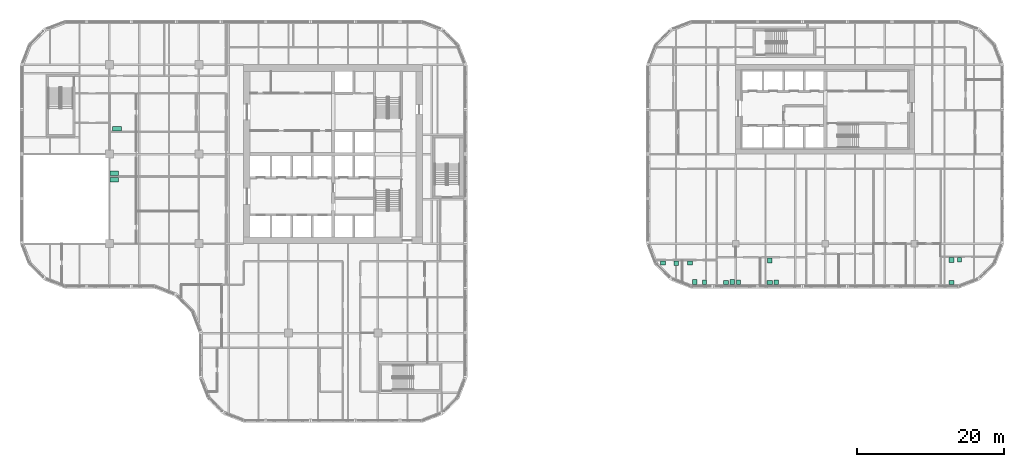
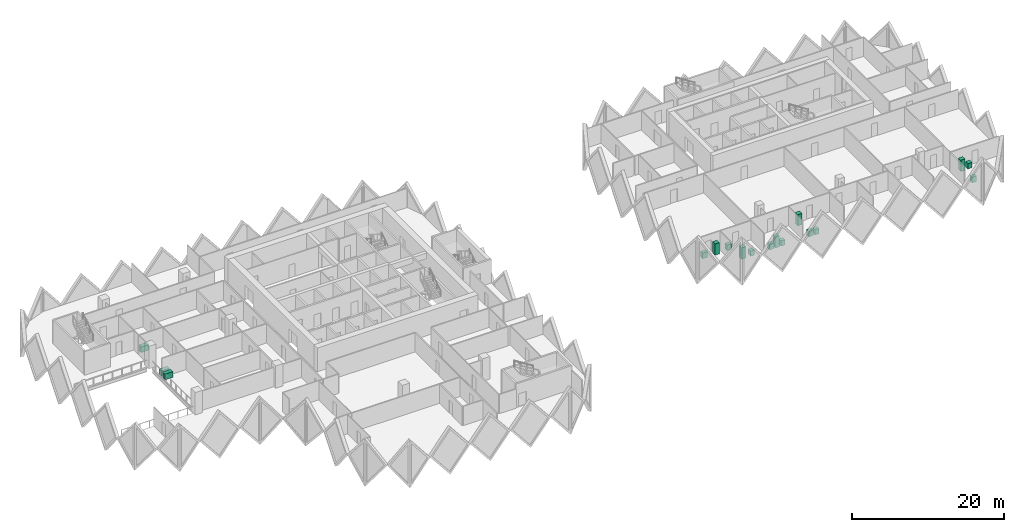
# One storey, part 20 of 20: 9 electric appliances, 8 sanitary terminals.
"""IFC4 building model written with IfcOpenShell, lengths in metres."""

from ifc_helpers import new_model, si_unit, direction, frame, origin, origin_2d, place, context, subcontext, project, spatial, rectangle, extrude, material, type_object, element, save


model = new_model("IFC4")

# Units and contexts
model_context = context("Model", 3, precision=1e-05, world=origin(), true_north=direction((0.0, 1.0)))
body_context = subcontext(model_context, "Body", "Model", "MODEL_VIEW")
ifc_project = project(units=[si_unit("LENGTHUNIT", "METRE"), si_unit("AREAUNIT", "SQUARE_METRE"), si_unit("VOLUMEUNIT", "CUBIC_METRE"), si_unit("PLANEANGLEUNIT", "RADIAN"), si_unit("MASSUNIT", "GRAM", prefix="KILO")], contexts=[model_context])

# Site, building, storey
site_placement = place(None, origin())
site = spatial("IfcSite", under=ifc_project, at=site_placement, CompositionType="ELEMENT")
building_placement = place(site_placement, origin())
building = spatial("IfcBuilding", under=site, at=building_placement, Name="Tessera Gate Towers", CompositionType="ELEMENT")
storey_placement = place(building_placement, frame((0.0, 0.0, 48.60009765625)))
storey = spatial("IfcBuildingStorey", under=building, at=storey_placement, Name="L11", CompositionType="ELEMENT", Elevation=48.60009765625)

# Electric appliances
ifc_material_1 = material(Name="Enamelled steel", Category="steel")
electric_appliance_type_1 = type_object("IfcElectricApplianceType", Name="DISHWASHER 600x600", PredefinedType="DISHWASHER", material=ifc_material_1)
for number, where, z_axis, x_axis, name in (
    (1, (93.35693359375, 19.14990234375, -0.000244140625), (0.0, 0.0, 1.0), (1.0, 0.0, 0.0), "Dishwasher"),
    (2, (97.9970703125, 19.14990234375, -0.000244140625), (0.0, 0.0, 1.0), (1.0, 0.0, 0.0), "Dishwasher"),
    (3, (103.162109375, 19.14990234375, -0.000244140625), (0.0, 0.0, 1.0), (1.0, 0.0, 0.0), "Dishwasher"),
    (4, (128.133056640625, 22.199951171875, -0.000244140625), (0.0, 0.0, 1.0), (1.0, 0.0, 0.0), "Dishwasher"),
):
    element("IfcElectricAppliance", number, at=place(storey_placement, frame(where, z_axis=z_axis, x_axis=x_axis)), inside=storey, type_object=electric_appliance_type_1, Name=name, PredefinedType="DISHWASHER", context=body_context, shape_type="SweptSolid", body=[
        extrude(rectangle(XDim=0.60009765625, YDim=0.60009765625, at=origin_2d()), origin(), (0.0, 0.0, 1.0), 0.85009765625),
    ])

# Sanitary terminals
ifc_material_2 = material(Name="Vitreous china")
sanitary_terminal_type_1 = type_object("IfcSanitaryTerminalType", Name="LABORATORY SINK 1200x600", PredefinedType="SINK", material=ifc_material_2)
for number, where, z_axis, x_axis, name in (
    (5, (12.85009765625, 33.125, 0.0), (0.0, 0.0, 1.0), (1.0, 0.0, 0.0), "Laboratory sink"),
    (6, (12.85009765625, 33.97509765625, 0.0), (0.0, 0.0, 1.0), (1.0, 0.0, 0.0), "Laboratory sink"),
    (7, (13.241943359375, 40.074951171875, 0.0), (0.0, 0.0, 1.0), (1.0, 0.0, 0.0), "Laboratory sink"),
):
    element("IfcSanitaryTerminal", number, at=place(storey_placement, frame(where, z_axis=z_axis, x_axis=x_axis)), inside=storey, type_object=sanitary_terminal_type_1, Name=name, PredefinedType="SINK", context=body_context, shape_type="SweptSolid", body=[
        extrude(rectangle(XDim=1.199951171875, YDim=0.60009765625, at=origin_2d()), origin(), (0.0, 0.0, 1.0), 0.89990234375),
    ])

# Electric appliances
ifc_material_3 = material(Name="Enamelled steel", Category="steel")
electric_appliance_type_2 = type_object("IfcElectricApplianceType", Name="REFRIGERATOR 650x650", PredefinedType="FRIDGE_FREEZER", material=ifc_material_3)
for number, where, z_axis, x_axis, name in (
    (8, (89.487060546875, 21.72509765625, 0.0), (0.0, 0.0, 1.0), (1.0, 0.0, 0.0), "Refrigerator"),
    (9, (92.02197265625, 19.175048828125, 0.0), (0.0, 0.0, 1.0), (1.0, 0.0, 0.0), "Refrigerator"),
    (10, (97.139892578125, 19.175048828125, 0.0), (0.0, 0.0, 1.0), (1.0, 0.0, 0.0), "Refrigerator"),
    (11, (102.2451171875, 22.10009765625, 0.0), (0.0, 0.0, 1.0), (1.0, 0.0, 0.0), "Refrigerator"),
    (12, (127.032958984375, 22.175048828125, 0.0), (0.0, 0.0, 1.0), (1.0, 0.0, 0.0), "Refrigerator"),
):
    element("IfcElectricAppliance", number, at=place(storey_placement, frame(where, z_axis=z_axis, x_axis=x_axis)), inside=storey, type_object=electric_appliance_type_2, Name=name, PredefinedType="FRIDGE_FREEZER", context=body_context, shape_type="SweptSolid", body=[
        extrude(rectangle(XDim=0.64990234375, YDim=0.64990234375, at=origin_2d()), origin(), (0.0, 0.0, 1.0), 1.800048828125),
    ])

# Sanitary terminals
ifc_material_4 = material(Name="Vitreous china")
sanitary_terminal_type_2 = type_object("IfcSanitaryTerminalType", Name="SINK 700x550", PredefinedType="SINK", material=ifc_material_4)
for number, where, z_axis, x_axis, name in (
    (13, (87.673095703125, 21.77490234375, 0.0), (0.0, 0.0, 1.0), (1.0, 0.0, 0.0), "Sink"),
    (14, (91.375, 21.77490234375, 0.0), (0.0, 0.0, 1.0), (1.0, 0.0, 0.0), "Sink"),
    (15, (96.299072265625, 19.125, 0.0), (0.0, 0.0, 1.0), (1.0, 0.0, 0.0), "Sink"),
    (16, (102.260986328125, 19.125, 0.0), (0.0, 0.0, 1.0), (1.0, 0.0, 0.0), "Sink"),
    (17, (127.050048828125, 19.125, 0.0), (0.0, 0.0, 1.0), (1.0, 0.0, 0.0), "Sink"),
):
    element("IfcSanitaryTerminal", number, at=place(storey_placement, frame(where, z_axis=z_axis, x_axis=x_axis)), inside=storey, type_object=sanitary_terminal_type_2, Name=name, PredefinedType="SINK", context=body_context, shape_type="SweptSolid", body=[
        extrude(rectangle(XDim=0.699951171875, YDim=0.550048828125, at=origin_2d()), origin(), (0.0, 0.0, 1.0), 0.89990234375),
    ])

save(model, "model.ifc")
